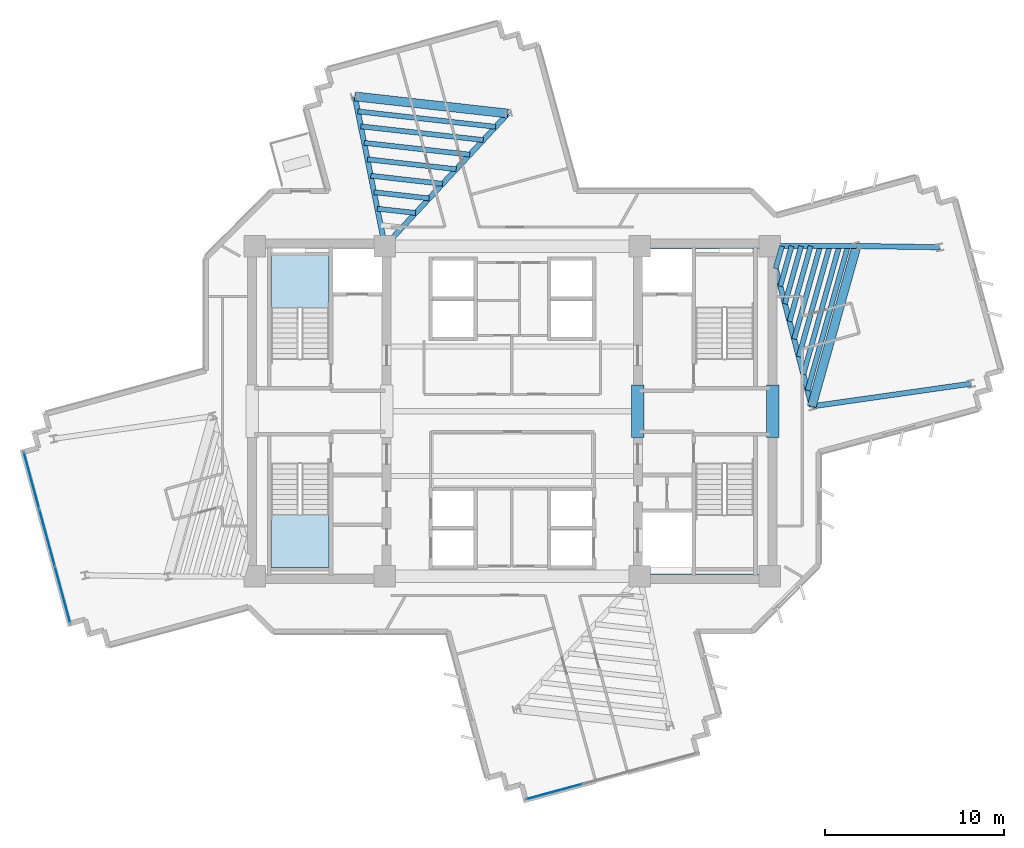
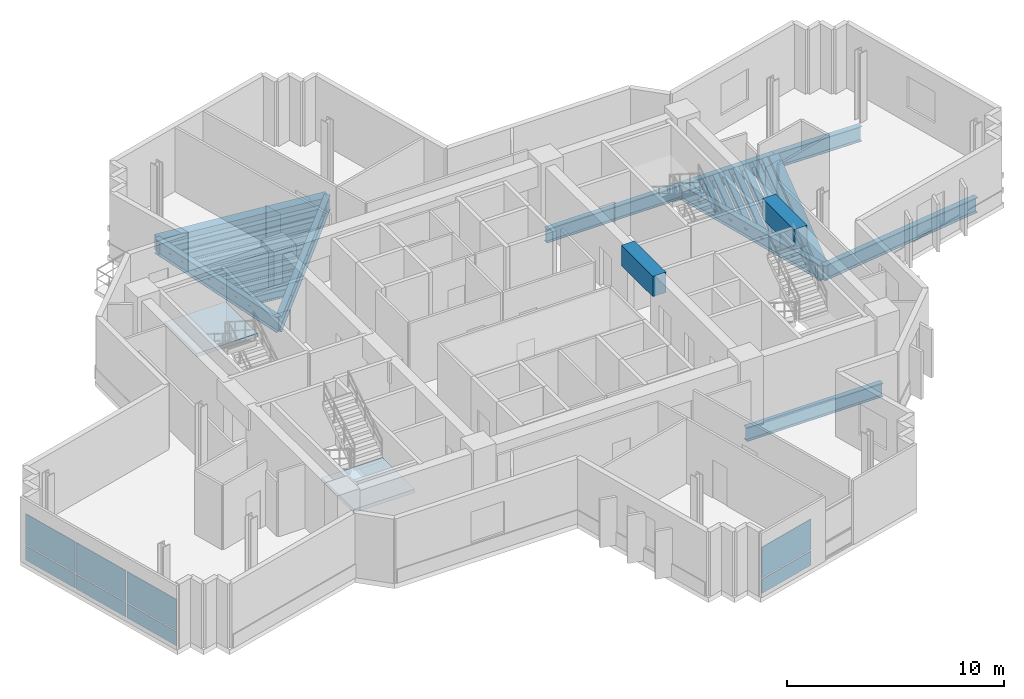
# One storey, part 6 of 15: 27 beams, 8 plates, 2 slabs, 4 elements without a shape of their own.
"""IFC4 building model written with IfcOpenShell, lengths in metres."""

import ifcopenshell
import ifcopenshell.guid

model = None  # the IFC model being written
_history = None  # IfcOwnerHistory: only IFC2X3 demands one
_inside = {}  # id of a spatial element -> (the spatial element, [elements in it])
_under = {}  # id of a project, library or spatial element -> (it, [spatial elements below it])
_declared = {}  # id of a project -> (the project, [libraries it declares])
_typed = {}  # id of a type object -> (the type object, [elements of that type])
_made_of = {}  # id of a material, layer set ... -> (it, [elements and type objects made of it])


def new_model(schema):
    """Start an empty IFC model of exactly this schema.

    Asked for "IFC4X3", IfcOpenShell would pick the latest addendum, in which some entities
    have other attributes; the version numbers below select the first issue.
    IFC2X3 requires an IfcOwnerHistory on every rooted entity: one is made here for all.
    """
    global model, _history
    if schema == "IFC4X3":
        model = ifcopenshell.file(schema_version=(4, 3, 0, 0))
    else:
        model = ifcopenshell.file(schema=schema)
    _inside.clear()
    _under.clear()
    _declared.clear()
    _typed.clear()
    _made_of.clear()
    _history = None
    if model.schema == "IFC2X3":
        org = make("IfcOrganization", Name="unknown")
        user = make(
            "IfcPersonAndOrganization",
            ThePerson=make("IfcPerson", FamilyName="unknown"),
            TheOrganization=org,
        )
        app = make(
            "IfcApplication",
            ApplicationDeveloper=org,
            Version="unknown",
            ApplicationFullName="unknown",
            ApplicationIdentifier="unknown",
        )
        _history = make(
            "IfcOwnerHistory",
            OwningUser=user,
            OwningApplication=app,
            ChangeAction="ADDED",
            CreationDate=0,
        )
    return model


def make(cls, **values):
    """One entity of the class cls with the attributes given. An attribute that is None is left unset."""
    return model.create_entity(
        cls, **{name: value for name, value in values.items() if value is not None}
    )


def rooted(cls, **values):
    """An entity with a GlobalId (a new one), such as an element, a storey or a relation."""
    return make(cls, GlobalId=ifcopenshell.guid.new(), OwnerHistory=_history, **values)


def si_unit(unit_type, name, prefix=None):
    """IfcSIUnit, for example si_unit("LENGTHUNIT", "METRE", prefix="MILLI")."""
    return make("IfcSIUnit", UnitType=unit_type, Prefix=prefix, Name=name)


def assignment(units):
    """IfcUnitAssignment: the units of a project."""
    return None if units is None else make("IfcUnitAssignment", Units=units)


def point(xyz):
    """IfcCartesianPoint."""
    return None if xyz is None else make("IfcCartesianPoint", Coordinates=xyz)


def direction(xyz):
    """IfcDirection."""
    return None if xyz is None else make("IfcDirection", DirectionRatios=xyz)


def frame(location, z_axis=None, x_axis=None):
    """IfcAxis2Placement3D, a coordinate frame: its origin and axes. An axis left out is left unset."""
    return make(
        "IfcAxis2Placement3D",
        Location=point(location),
        Axis=direction(z_axis),
        RefDirection=direction(x_axis),
    )


def frame_2d(location, x_axis=None):
    """IfcAxis2Placement2D, a coordinate frame in the plane: its origin and x axis."""
    return make(
        "IfcAxis2Placement2D", Location=point(location), RefDirection=direction(x_axis)
    )


def origin():
    """The frame at (0, 0, 0) with its axes left unset."""
    return frame((0.0, 0.0, 0.0))


def origin_2d():
    """The frame at (0, 0) in the plane with its x axis left unset."""
    return frame_2d((0.0, 0.0))


def place(relative_to, where):
    """IfcLocalPlacement: puts the frame where relative to a parent placement (None: the world)."""
    return make(
        "IfcLocalPlacement", PlacementRelTo=relative_to, RelativePlacement=where
    )


def context(
    kind, dimensions, precision=None, world=None, true_north=None, identifier=None
):
    """IfcGeometricRepresentationContext, for example the 3D "Model" context."""
    return make(
        "IfcGeometricRepresentationContext",
        ContextIdentifier=identifier,
        ContextType=kind,
        CoordinateSpaceDimension=dimensions,
        Precision=precision,
        WorldCoordinateSystem=world,
        TrueNorth=true_north,
    )


def subcontext(parent, identifier, kind, view, scale=None):
    """IfcGeometricRepresentationSubContext, for example "Body" below "Model"."""
    return make(
        "IfcGeometricRepresentationSubContext",
        ContextIdentifier=identifier,
        ContextType=kind,
        ParentContext=parent,
        TargetScale=scale,
        TargetView=view,
    )


def project(units=None, contexts=None):
    """IfcProject with its units and contexts."""
    return rooted(
        "IfcProject",
        Name="project",
        RepresentationContexts=contexts,
        UnitsInContext=assignment(units),
    )


def spatial(cls, under=None, at=None, **own):
    """A site, building, storey or space (cls), placed at a placement, below another one or the project."""
    s = rooted(cls, ObjectPlacement=at, **own)
    if under is not None:
        _under.setdefault(under.id(), (under, []))[1].append(s)
    return s


def polyline(points):
    """IfcPolyline through the points."""
    return make("IfcPolyline", Points=[point(p) for p in points])


def profile(cls, at=None, kind="AREA", **sizes):
    """A parametric profile (cls). Its sizes go by their IFC names, for example OverallWidth=200.0."""
    return make(cls, ProfileType=kind, Position=at, **sizes)


def rectangle(**sizes):
    """IfcRectangleProfileDef."""
    return profile("IfcRectangleProfileDef", **sizes)


def i_section(**sizes):
    """IfcIShapeProfileDef."""
    return profile("IfcIShapeProfileDef", **sizes)


def outline(outer, holes=None, kind="AREA"):
    """IfcArbitraryClosedProfileDef: a profile drawn as a closed curve; with holes, ...WithVoids."""
    if holes is None:
        return make("IfcArbitraryClosedProfileDef", ProfileType=kind, OuterCurve=outer)
    return make(
        "IfcArbitraryProfileDefWithVoids",
        ProfileType=kind,
        OuterCurve=outer,
        InnerCurves=holes,
    )


def extrude(swept, where, along, depth):
    """IfcExtrudedAreaSolid: the profile swept, set in the frame where, extruded along a direction by depth."""
    return make(
        "IfcExtrudedAreaSolid",
        SweptArea=swept,
        Position=where,
        ExtrudedDirection=direction(along),
        Depth=depth,
    )


def shape(context_of_items, identifier, shape_type, items):
    """IfcShapeRepresentation: the items that make up one representation, for example the "Body"."""
    return make(
        "IfcShapeRepresentation",
        ContextOfItems=context_of_items,
        RepresentationIdentifier=identifier,
        RepresentationType=shape_type,
        Items=items,
    )


def source(mapping_origin, context_of_items, identifier, shape_type, items):
    """IfcRepresentationMap: a shape defined once, which mapped items show again and again."""
    return make(
        "IfcRepresentationMap",
        MappingOrigin=mapping_origin,
        MappedRepresentation=shape(context_of_items, identifier, shape_type, items),
    )


def transform(
    local_origin,
    x_axis=None,
    y_axis=None,
    z_axis=None,
    scale=None,
    scale2=None,
    scale3=None,
    uniform=True,
):
    """IfcCartesianTransformationOperator3D, or its non-uniform kind. x_axis, y_axis, z_axis: its Axis1, 2, 3."""
    if uniform:
        return make(
            "IfcCartesianTransformationOperator3D",
            Axis1=direction(x_axis),
            Axis2=direction(y_axis),
            LocalOrigin=point(local_origin),
            Scale=scale,
            Axis3=direction(z_axis),
        )
    return make(
        "IfcCartesianTransformationOperator3DnonUniform",
        Axis1=direction(x_axis),
        Axis2=direction(y_axis),
        LocalOrigin=point(local_origin),
        Scale=scale,
        Axis3=direction(z_axis),
        Scale2=scale2,
        Scale3=scale3,
    )


def mapped(mapping_source, mapping_target):
    """IfcMappedItem: shows the shape of a source again, moved by a transform."""
    return make(
        "IfcMappedItem", MappingSource=mapping_source, MappingTarget=mapping_target
    )


def material(Name=None, Category=None):
    """IfcMaterial."""
    return make("IfcMaterial", Name=Name, Category=Category)


def layer(
    of_material, thickness, ventilated=None, Name=None, Category=None, Priority=None
):
    """IfcMaterialLayer: one layer of a wall or slab, of a material (None: an air gap)."""
    return make(
        "IfcMaterialLayer",
        Material=of_material,
        LayerThickness=thickness,
        IsVentilated=ventilated,
        Name=Name,
        Category=Category,
        Priority=Priority,
    )


def layer_set(layers, Name=None):
    """IfcMaterialLayerSet."""
    return make("IfcMaterialLayerSet", MaterialLayers=layers, LayerSetName=Name)


def material_profile(
    of_material, cross_section, Name=None, Category=None, Priority=None
):
    """IfcMaterialProfile: a cross section and its material."""
    return make(
        "IfcMaterialProfile",
        Name=Name,
        Material=of_material,
        Profile=cross_section,
        Priority=Priority,
        Category=Category,
    )


def profile_set(profiles, Name=None, composite=None):
    """IfcMaterialProfileSet."""
    return make(
        "IfcMaterialProfileSet",
        Name=Name,
        MaterialProfiles=profiles,
        CompositeProfile=composite,
    )


def made_of(thing, what):
    """Note that an element or type object is made of a material, layer set ...; save() writes the relation."""
    if what is not None:
        _made_of.setdefault(what.id(), (what, []))[1].append(thing)
    return thing


def type_object(cls, material=None, **own):
    """A type object (cls), such as IfcWallType, which elements share."""
    return made_of(rooted(cls, **own), material)


def element(
    cls,
    number,
    at=None,
    inside=None,
    cuts=None,
    type_object=None,
    material=None,
    context=None,
    identifier="Body",
    shape_type=None,
    held_by="IfcProductDefinitionShape",
    body=None,
    shapes=None,
    **own,
):
    """One element of the class cls, such as IfcWall. Its Tag is "e" and its number.

    at: its placement. inside: the storey or other place that contains it. cuts: it is an
    opening in that element (IfcRelVoidsElement). A single representation is given by context,
    identifier, shape_type and body (its items); several are given by shapes. held_by: the class
    of the entity that holds the representations. save() writes the other relations.
    """
    e = rooted(cls, Tag="e%d" % number, ObjectPlacement=at, **own)
    if body is not None:
        shapes = [shape(context, identifier, shape_type, body)]
    if shapes is not None:
        e.Representation = make(held_by, Representations=shapes)
    if inside is not None:
        _inside.setdefault(inside.id(), (inside, []))[1].append(e)
    if cuts is not None:
        rooted(
            "IfcRelVoidsElement", RelatingBuildingElement=cuts, RelatedOpeningElement=e
        )
    if type_object is not None:
        _typed.setdefault(type_object.id(), (type_object, []))[1].append(e)
    return made_of(e, material)


def aggregate(whole, parts):
    """IfcRelAggregates: a whole, such as a stair, and the parts it consists of."""
    return rooted("IfcRelAggregates", RelatingObject=whole, RelatedObjects=parts)


def save(model, path):
    """Write the relations noted so far, then the file.

    IfcRelAggregates (storeys below a building ...), IfcRelContainedInSpatialStructure (elements
    in a storey), IfcRelDefinesByType, IfcRelAssociatesMaterial and IfcRelDeclares: one each for
    every whole, place, type object, material and project.
    """
    for whole, parts in _under.values():
        aggregate(whole, parts)
    for where, things in _inside.values():
        rooted(
            "IfcRelContainedInSpatialStructure",
            RelatedElements=things,
            RelatingStructure=where,
        )
    for kind, things in _typed.values():
        rooted("IfcRelDefinesByType", RelatedObjects=things, RelatingType=kind)
    for what, things in _made_of.values():
        rooted("IfcRelAssociatesMaterial", RelatedObjects=things, RelatingMaterial=what)
    for by, libraries in _declared.values():
        rooted("IfcRelDeclares", RelatingContext=by, RelatedDefinitions=libraries)
    model.write(path)


model = new_model("IFC4")

# Units and contexts
model_context = context("Model", 3, precision=1e-05, world=origin(), true_north=direction((0.0, 1.0)))
body_context = subcontext(model_context, "Body", "Model", "MODEL_VIEW")
ifc_project = project(units=[si_unit("LENGTHUNIT", "METRE"), si_unit("AREAUNIT", "SQUARE_METRE"), si_unit("VOLUMEUNIT", "CUBIC_METRE"), si_unit("PLANEANGLEUNIT", "RADIAN"), si_unit("MASSUNIT", "GRAM", prefix="KILO")], contexts=[model_context])

# Site, building, storey
site_placement = place(None, origin())
site = spatial("IfcSite", under=ifc_project, at=site_placement, CompositionType="ELEMENT")
building_placement = place(site_placement, origin())
building = spatial("IfcBuilding", under=site, at=building_placement, Name="Zahravan Cultural Tower", CompositionType="ELEMENT")
storey_placement = place(building_placement, frame((0.0, 0.0, 198.0)))
storey = spatial("IfcBuildingStorey", under=building, at=storey_placement, Name="L46", CompositionType="ELEMENT", Elevation=198.0)

# Beams
ifc_material_1 = material(Name="Concrete C50/60", Category="concrete")
ifc_material_profile_1 = material_profile(ifc_material_1, rectangle(XDim=0.699951171875, YDim=1.14990234375, at=origin_2d()), Name="RC700X1150")
ifc_profile_set_1 = profile_set([ifc_material_profile_1], Name="Concrete C50/60")
beam_type_1 = type_object("IfcBeamType", Name="BM-LN-RC700X1150", PredefinedType="LINTEL", material=ifc_profile_set_1)
shared_shape_1 = source(origin(), body_context, "Body", "SweptSolid", [
    extrude(rectangle(XDim=0.699951171875, YDim=1.14990234375, at=origin_2d()), origin(), (0.0, 0.0, 1.0), 2.89990234375),
])
for number, where, z_axis, x_axis, name in (
    (1, (43.0, 25.550048828125, 3.044921875), (0.0, 1.0, 0.0), (-1.0, 0.0, 0.0), "L46 Beam LN-L46-PEW"),
    (2, (50.5, 25.550048828125, 3.044921875), (0.0, 1.0, 0.0), (-1.0, 0.0, 0.0), "L46 Beam LN-L46-PEE"),
):
    element("IfcBeam", number, at=place(storey_placement, frame(where, z_axis=z_axis, x_axis=x_axis)), inside=storey, type_object=beam_type_1, Name=name, PredefinedType="LINTEL", context=body_context, shape_type="MappedRepresentation", body=[
        mapped(shared_shape_1, transform((0.0, 0.0, 0.0), x_axis=(1.0, 0.0, 0.0), y_axis=(0.0, 1.0, 0.0), z_axis=(0.0, 0.0, 1.0), scale=1.0)),
    ])
ifc_material_2 = material(Name="Steel ASTM A992 Grade 50", Category="steel")
ifc_material_profile_2 = material_profile(ifc_material_2, i_section(OverallWidth=0.26611328125, OverallDepth=0.780029296875, WebThickness=0.0166015625, FlangeThickness=0.030029296875, FilletRadius=0.01904296875, at=origin_2d()), Name="W30X148")
ifc_profile_set_2 = profile_set([ifc_material_profile_2], Name="Steel ASTM A992 Grade 50")
beam_type_2 = type_object("IfcBeamType", Name="BM-G-W30X148", PredefinedType="BEAM", material=ifc_profile_set_2)
shared_shape_2 = source(origin(), body_context, "Body", "SweptSolid", [
    extrude(i_section(OverallWidth=0.26611328125, OverallDepth=0.780029296875, WebThickness=0.0166015625, FlangeThickness=0.030029296875, FilletRadius=0.01904296875, at=origin_2d()), origin(), (0.0, 0.0, 1.0), 7.25),
])
for number, where, z_axis, x_axis, name in (
    (3, (43.10009765625, 17.800048828125, -0.669921875), (1.0, 0.0, 0.0), (0.0, 1.0, 0.0), "L46 Beam BG-L46-04"),
    (4, (43.10009765625, 36.199951171875, -0.669921875), (1.0, 0.0, 0.0), (0.0, 1.0, 0.0), "L46 Beam BG-L46-05"),
):
    element("IfcBeam", number, at=place(storey_placement, frame(where, z_axis=z_axis, x_axis=x_axis)), inside=storey, type_object=beam_type_2, Name=name, PredefinedType="BEAM", context=body_context, shape_type="MappedRepresentation", body=[
        mapped(shared_shape_2, transform((0.0, 0.0, 0.0), x_axis=(1.0, 0.0, 0.0), y_axis=(0.0, 1.0, 0.0), z_axis=(0.0, 0.0, 1.0), scale=1.0)),
    ])
ifc_material_profile_3 = material_profile(ifc_material_1, rectangle(XDim=0.5, YDim=0.85009765625, at=origin_2d()), Name="RC500X850")
ifc_profile_set_3 = profile_set([ifc_material_profile_3], Name="Concrete C50/60")
beam_type_3 = type_object("IfcBeamType", Name="BM-SP-RC500X850", PredefinedType="SPANDREL", material=ifc_profile_set_3)
shared_shape_3 = source(origin(), body_context, "Body", "SweptSolid", [
    extrude(rectangle(XDim=0.5, YDim=0.85009765625, at=origin_2d()), origin(), (0.0, 0.0, 1.0), 9.2783203125),
])
beam_1_placement = place(storey_placement, frame((52.684326171875, 27.27099609375, -0.705078125), z_axis=(0.269497187032, 0.963001176625, 0.0), x_axis=(-0.963001176625, 0.269497187032, 0.0)))
element("IfcBeam", 5, at=beam_1_placement, inside=storey, type_object=beam_type_3, Name="L46 Beam SP-L46-21", PredefinedType="SPANDREL", context=body_context, shape_type="MappedRepresentation", body=[
    mapped(shared_shape_3, transform((0.0, 0.0, 0.0), x_axis=(1.0, 0.0, 0.0), y_axis=(0.0, 1.0, 0.0), z_axis=(0.0, 0.0, 1.0), scale=1.0)),
])
shared_shape_4 = source(origin(), body_context, "Body", "SweptSolid", [
    extrude(rectangle(XDim=0.5, YDim=0.85009765625, at=origin_2d()), origin(), (0.0, 0.0, 1.0), 8.579833984375),
])
beam_2_placement = place(storey_placement, frame((35.754638671875, 43.587646484375, -0.705078125), z_axis=(-0.9938040105, 0.11114669907, 0.0), x_axis=(-0.11114669907, -0.9938040105, 0.0)))
element("IfcBeam", 6, at=beam_2_placement, inside=storey, type_object=beam_type_3, Name="L46 Beam SP-L46-22", PredefinedType="SPANDREL", context=body_context, shape_type="MappedRepresentation", body=[
    mapped(shared_shape_4, transform((0.0, 0.0, 0.0), x_axis=(1.0, 0.0, 0.0), y_axis=(0.0, 1.0, 0.0), z_axis=(0.0, 0.0, 1.0), scale=1.0)),
])
ifc_material_profile_4 = material_profile(ifc_material_2, i_section(OverallWidth=0.29296875, OverallDepth=0.845947265625, WebThickness=0.015380859375, FlangeThickness=0.0244140625, FilletRadius=0.02001953125, at=origin_2d()), Name="W33X141")
ifc_profile_set_4 = profile_set([ifc_material_profile_4], Name="Steel ASTM A992 Grade 50")
beam_type_4 = type_object("IfcBeamType", Name="BM-G-W33X141", PredefinedType="BEAM", material=ifc_profile_set_4)
shared_shape_5 = source(origin(), body_context, "Body", "SweptSolid", [
    extrude(i_section(OverallWidth=0.29296875, OverallDepth=0.845947265625, WebThickness=0.015380859375, FlangeThickness=0.0244140625, FilletRadius=0.02001953125, at=origin_2d()), origin(), (0.0, 0.0, 1.0), 9.22900390625),
])
beam_3_placement = place(storey_placement, frame((50.35009765625, 36.199951171875, -0.702880859375), z_axis=(0.252922608408, -0.967486513682, 0.0), x_axis=(0.967486513682, 0.252922608408, 0.0)))
element("IfcBeam", 7, at=beam_3_placement, inside=storey, type_object=beam_type_4, Name="L46 Beam BG-L46-11", PredefinedType="BEAM", context=body_context, shape_type="MappedRepresentation", body=[
    mapped(shared_shape_5, transform((0.0, 0.0, 0.0), x_axis=(1.0, 0.0, 0.0), y_axis=(0.0, 1.0, 0.0), z_axis=(0.0, 0.0, 1.0), scale=1.0)),
])
shared_shape_6 = source(origin(), body_context, "Body", "SweptSolid", [
    extrude(i_section(OverallWidth=0.29296875, OverallDepth=0.845947265625, WebThickness=0.015380859375, FlangeThickness=0.0244140625, FilletRadius=0.02001953125, at=origin_2d()), origin(), (0.0, 0.0, 1.0), 4.834716796875),
])
beam_4_placement = place(storey_placement, frame((50.35009765625, 36.199951171875, -0.702880859375), z_axis=(0.99999920313, 0.001262433979, 0.0), x_axis=(-0.001262433979, 0.99999920313, 0.0)))
element("IfcBeam", 8, at=beam_4_placement, inside=storey, type_object=beam_type_4, Name="L46 Beam BG-L46-12", PredefinedType="BEAM", context=body_context, shape_type="MappedRepresentation", body=[
    mapped(shared_shape_6, transform((0.0, 0.0, 0.0), x_axis=(1.0, 0.0, 0.0), y_axis=(0.0, 1.0, 0.0), z_axis=(0.0, 0.0, 1.0), scale=1.0)),
])
shared_shape_7 = source(origin(), body_context, "Body", "SweptSolid", [
    extrude(i_section(OverallWidth=0.29296875, OverallDepth=0.845947265625, WebThickness=0.015380859375, FlangeThickness=0.0244140625, FilletRadius=0.02001953125, at=origin_2d()), origin(), (0.0, 0.0, 1.0), 10.077880859375),
])
beam_5_placement = place(storey_placement, frame((28.89990234375, 36.199951171875, -0.702880859375), z_axis=(0.680170435587, 0.733054007938, 0.0), x_axis=(-0.733054007938, 0.680170435587, 0.0)))
element("IfcBeam", 9, at=beam_5_placement, inside=storey, type_object=beam_type_4, Name="L46 Beam BG-L46-13", PredefinedType="BEAM", context=body_context, shape_type="MappedRepresentation", body=[
    mapped(shared_shape_7, transform((0.0, 0.0, 0.0), x_axis=(1.0, 0.0, 0.0), y_axis=(0.0, 1.0, 0.0), z_axis=(0.0, 0.0, 1.0), scale=1.0)),
])
shared_shape_8 = source(origin(), body_context, "Body", "SweptSolid", [
    extrude(i_section(OverallWidth=0.29296875, OverallDepth=0.845947265625, WebThickness=0.015380859375, FlangeThickness=0.0244140625, FilletRadius=0.02001953125, at=origin_2d()), origin(), (0.0, 0.0, 1.0), 8.50732421875),
])
beam_6_placement = place(storey_placement, frame((28.89990234375, 36.199951171875, -0.702880859375), z_axis=(-0.196524514012, 0.980498911469, 0.0), x_axis=(-0.980498911469, -0.196524514012, 0.0)))
element("IfcBeam", 10, at=beam_6_placement, inside=storey, type_object=beam_type_4, Name="L46 Beam BG-L46-14", PredefinedType="BEAM", context=body_context, shape_type="MappedRepresentation", body=[
    mapped(shared_shape_8, transform((0.0, 0.0, 0.0), x_axis=(1.0, 0.0, 0.0), y_axis=(0.0, 1.0, 0.0), z_axis=(0.0, 0.0, 1.0), scale=1.0)),
])
shared_shape_9 = source(origin(), body_context, "Body", "SweptSolid", [
    extrude(i_section(OverallWidth=0.29296875, OverallDepth=0.845947265625, WebThickness=0.015380859375, FlangeThickness=0.0244140625, FilletRadius=0.02001953125, at=origin_2d()), origin(), (0.0, 0.0, 1.0), 8.9580078125),
])
beam_7_placement = place(storey_placement, frame((52.684326171875, 27.27099609375, -0.702880859375), z_axis=(0.990000122431, 0.141066500584, 0.0), x_axis=(-0.141066500584, 0.990000122431, 0.0)))
element("IfcBeam", 11, at=beam_7_placement, inside=storey, type_object=beam_type_4, Name="L46 Beam BG-L46-15", PredefinedType="BEAM", context=body_context, shape_type="MappedRepresentation", body=[
    mapped(shared_shape_9, transform((0.0, 0.0, 0.0), x_axis=(1.0, 0.0, 0.0), y_axis=(0.0, 1.0, 0.0), z_axis=(0.0, 0.0, 1.0), scale=1.0)),
])
shared_shape_10 = source(origin(), body_context, "Body", "SweptSolid", [
    extrude(i_section(OverallWidth=0.29296875, OverallDepth=0.845947265625, WebThickness=0.015380859375, FlangeThickness=0.0244140625, FilletRadius=0.02001953125, at=origin_2d()), origin(), (0.0, 0.0, 1.0), 4.622314453125),
])
beam_8_placement = place(storey_placement, frame((55.184814453125, 36.2060546875, -0.702880859375), z_axis=(0.999889070044, -0.014894549562, 0.0), x_axis=(0.014894549562, 0.999889070044, 0.0)))
element("IfcBeam", 12, at=beam_8_placement, inside=storey, type_object=beam_type_4, Name="L46 Beam BG-L46-16", PredefinedType="BEAM", context=body_context, shape_type="MappedRepresentation", body=[
    mapped(shared_shape_10, transform((0.0, 0.0, 0.0), x_axis=(1.0, 0.0, 0.0), y_axis=(0.0, 1.0, 0.0), z_axis=(0.0, 0.0, 1.0), scale=1.0)),
])
ifc_material_profile_5 = material_profile(ifc_material_2, i_section(OverallWidth=0.280029296875, OverallDepth=0.462890625, WebThickness=0.0107421875, FlangeThickness=0.017333984375, FilletRadius=0.012939453125, at=origin_2d()), Name="W18X76")
ifc_profile_set_5 = profile_set([ifc_material_profile_5], Name="Steel ASTM A992 Grade 50")
beam_type_5 = type_object("IfcBeamType", Name="BM-J-W18X76", PredefinedType="JOIST", material=ifc_profile_set_5)
shared_shape_11 = source(origin(), body_context, "Body", "SweptSolid", [
    extrude(i_section(OverallWidth=0.280029296875, OverallDepth=0.462890625, WebThickness=0.0107421875, FlangeThickness=0.017333984375, FilletRadius=0.012939453125, at=origin_2d()), origin(), (0.0, 0.0, 1.0), 1.299072265625),
])
beam_9_placement = place(storey_placement, frame((50.6767578125, 34.949951171875, -0.511474609375), z_axis=(0.269504444708, 0.962999145525, 0.0), x_axis=(-0.962999145525, 0.269504444708, 0.0)))
element("IfcBeam", 13, at=beam_9_placement, inside=storey, type_object=beam_type_5, Name="L46 Beam BJ-L46-42", PredefinedType="JOIST", context=body_context, shape_type="MappedRepresentation", body=[
    mapped(shared_shape_11, transform((0.0, 0.0, 0.0), x_axis=(1.0, 0.0, 0.0), y_axis=(0.0, 1.0, 0.0), z_axis=(0.0, 0.0, 1.0), scale=1.0)),
])
shared_shape_12 = source(origin(), body_context, "Body", "SweptSolid", [
    extrude(i_section(OverallWidth=0.280029296875, OverallDepth=0.462890625, WebThickness=0.0107421875, FlangeThickness=0.017333984375, FilletRadius=0.012939453125, at=origin_2d()), origin(), (0.0, 0.0, 1.0), 2.3193359375),
])
beam_10_placement = place(storey_placement, frame((50.93359375, 33.9677734375, -0.511474609375), z_axis=(0.269462038626, 0.963011012263, 0.0), x_axis=(-0.963011012263, 0.269462038626, 0.0)))
element("IfcBeam", 14, at=beam_10_placement, inside=storey, type_object=beam_type_5, Name="L46 Beam BJ-L46-43", PredefinedType="JOIST", context=body_context, shape_type="MappedRepresentation", body=[
    mapped(shared_shape_12, transform((0.0, 0.0, 0.0), x_axis=(1.0, 0.0, 0.0), y_axis=(0.0, 1.0, 0.0), z_axis=(0.0, 0.0, 1.0), scale=1.0)),
])
shared_shape_13 = source(origin(), body_context, "Body", "SweptSolid", [
    extrude(i_section(OverallWidth=0.280029296875, OverallDepth=0.462890625, WebThickness=0.0107421875, FlangeThickness=0.017333984375, FilletRadius=0.012939453125, at=origin_2d()), origin(), (0.0, 0.0, 1.0), 3.340087890625),
])
beam_11_placement = place(storey_placement, frame((51.190185546875, 32.985595703125, -0.511474609375), z_axis=(0.269562146951, 0.962982995141, 0.0), x_axis=(-0.962982995141, 0.269562146951, 0.0)))
element("IfcBeam", 15, at=beam_11_placement, inside=storey, type_object=beam_type_5, Name="L46 Beam BJ-L46-44", PredefinedType="JOIST", context=body_context, shape_type="MappedRepresentation", body=[
    mapped(shared_shape_13, transform((0.0, 0.0, 0.0), x_axis=(1.0, 0.0, 0.0), y_axis=(0.0, 1.0, 0.0), z_axis=(0.0, 0.0, 1.0), scale=1.0)),
])
shared_shape_14 = source(origin(), body_context, "Body", "SweptSolid", [
    extrude(i_section(OverallWidth=0.280029296875, OverallDepth=0.462890625, WebThickness=0.0107421875, FlangeThickness=0.017333984375, FilletRadius=0.012939453125, at=origin_2d()), origin(), (0.0, 0.0, 1.0), 4.36083984375),
])
beam_12_placement = place(storey_placement, frame((51.447021484375, 32.00341796875, -0.511474609375), z_axis=(0.269511557673, 0.962997154866, 0.0), x_axis=(-0.962997154866, 0.269511557673, 0.0)))
element("IfcBeam", 16, at=beam_12_placement, inside=storey, type_object=beam_type_5, Name="L46 Beam BJ-L46-45", PredefinedType="JOIST", context=body_context, shape_type="MappedRepresentation", body=[
    mapped(shared_shape_14, transform((0.0, 0.0, 0.0), x_axis=(1.0, 0.0, 0.0), y_axis=(0.0, 1.0, 0.0), z_axis=(0.0, 0.0, 1.0), scale=1.0)),
])
shared_shape_15 = source(origin(), body_context, "Body", "SweptSolid", [
    extrude(i_section(OverallWidth=0.280029296875, OverallDepth=0.462890625, WebThickness=0.0107421875, FlangeThickness=0.017333984375, FilletRadius=0.012939453125, at=origin_2d()), origin(), (0.0, 0.0, 1.0), 5.3818359375),
])
beam_13_placement = place(storey_placement, frame((51.703857421875, 31.02099609375, -0.511474609375), z_axis=(0.269510454638, 0.962997463569, 0.0), x_axis=(-0.962997463569, 0.269510454638, 0.0)))
element("IfcBeam", 17, at=beam_13_placement, inside=storey, type_object=beam_type_5, Name="L46 Beam BJ-L46-46", PredefinedType="JOIST", context=body_context, shape_type="MappedRepresentation", body=[
    mapped(shared_shape_15, transform((0.0, 0.0, 0.0), x_axis=(1.0, 0.0, 0.0), y_axis=(0.0, 1.0, 0.0), z_axis=(0.0, 0.0, 1.0), scale=1.0)),
])
shared_shape_16 = source(origin(), body_context, "Body", "SweptSolid", [
    extrude(i_section(OverallWidth=0.280029296875, OverallDepth=0.462890625, WebThickness=0.0107421875, FlangeThickness=0.017333984375, FilletRadius=0.012939453125, at=origin_2d()), origin(), (0.0, 0.0, 1.0), 6.402099609375),
])
beam_14_placement = place(storey_placement, frame((51.960693359375, 30.038818359375, -0.511474609375), z_axis=(0.269494133533, 0.963002031146, 0.0), x_axis=(-0.963002031146, 0.269494133533, 0.0)))
element("IfcBeam", 18, at=beam_14_placement, inside=storey, type_object=beam_type_5, Name="L46 Beam BJ-L46-47", PredefinedType="JOIST", context=body_context, shape_type="MappedRepresentation", body=[
    mapped(shared_shape_16, transform((0.0, 0.0, 0.0), x_axis=(1.0, 0.0, 0.0), y_axis=(0.0, 1.0, 0.0), z_axis=(0.0, 0.0, 1.0), scale=1.0)),
])
shared_shape_17 = source(origin(), body_context, "Body", "SweptSolid", [
    extrude(i_section(OverallWidth=0.280029296875, OverallDepth=0.462890625, WebThickness=0.0107421875, FlangeThickness=0.017333984375, FilletRadius=0.012939453125, at=origin_2d()), origin(), (0.0, 0.0, 1.0), 7.4228515625),
])
beam_15_placement = place(storey_placement, frame((52.21728515625, 29.056640625, -0.511474609375), z_axis=(0.269504266128, 0.962999195503, 0.0), x_axis=(-0.962999195503, 0.269504266128, 0.0)))
element("IfcBeam", 19, at=beam_15_placement, inside=storey, type_object=beam_type_5, Name="L46 Beam BJ-L46-48", PredefinedType="JOIST", context=body_context, shape_type="MappedRepresentation", body=[
    mapped(shared_shape_17, transform((0.0, 0.0, 0.0), x_axis=(1.0, 0.0, 0.0), y_axis=(0.0, 1.0, 0.0), z_axis=(0.0, 0.0, 1.0), scale=1.0)),
])
shared_shape_18 = source(origin(), body_context, "Body", "SweptSolid", [
    extrude(i_section(OverallWidth=0.280029296875, OverallDepth=0.462890625, WebThickness=0.0107421875, FlangeThickness=0.017333984375, FilletRadius=0.012939453125, at=origin_2d()), origin(), (0.0, 0.0, 1.0), 8.350830078125),
])
beam_16_placement = place(storey_placement, frame((52.450927734375, 28.163818359375, -0.511474609375), z_axis=(0.269496539555, 0.963001357822, 0.0), x_axis=(-0.963001357822, 0.269496539555, 0.0)))
element("IfcBeam", 20, at=beam_16_placement, inside=storey, type_object=beam_type_5, Name="L46 Beam BJ-L46-49", PredefinedType="JOIST", context=body_context, shape_type="MappedRepresentation", body=[
    mapped(shared_shape_18, transform((0.0, 0.0, 0.0), x_axis=(1.0, 0.0, 0.0), y_axis=(0.0, 1.0, 0.0), z_axis=(0.0, 0.0, 1.0), scale=1.0)),
])
shared_shape_19 = source(origin(), body_context, "Body", "SweptSolid", [
    extrude(i_section(OverallWidth=0.280029296875, OverallDepth=0.462890625, WebThickness=0.0107421875, FlangeThickness=0.017333984375, FilletRadius=0.012939453125, at=origin_2d()), origin(), (0.0, 0.0, 1.0), 2.144775390625),
])
beam_17_placement = place(storey_placement, frame((30.613525390625, 38.046875, -0.511474609375), z_axis=(-0.993797370806, 0.111206051, 0.0), x_axis=(-0.111206051, -0.993797370806, 0.0)))
element("IfcBeam", 21, at=beam_17_placement, inside=storey, type_object=beam_type_5, Name="L46 Beam BJ-L46-51", PredefinedType="JOIST", context=body_context, shape_type="MappedRepresentation", body=[
    mapped(shared_shape_19, transform((0.0, 0.0, 0.0), x_axis=(1.0, 0.0, 0.0), y_axis=(0.0, 1.0, 0.0), z_axis=(0.0, 0.0, 1.0), scale=1.0)),
])
shared_shape_20 = source(origin(), body_context, "Body", "SweptSolid", [
    extrude(i_section(OverallWidth=0.280029296875, OverallDepth=0.462890625, WebThickness=0.0107421875, FlangeThickness=0.017333984375, FilletRadius=0.012939453125, at=origin_2d()), origin(), (0.0, 0.0, 1.0), 3.088623046875),
])
beam_18_placement = place(storey_placement, frame((31.36767578125, 38.859619140625, -0.511474609375), z_axis=(-0.993805407368, 0.111134208443, 0.0), x_axis=(-0.111134208443, -0.993805407368, 0.0)))
element("IfcBeam", 22, at=beam_18_placement, inside=storey, type_object=beam_type_5, Name="L46 Beam BJ-L46-52", PredefinedType="JOIST", context=body_context, shape_type="MappedRepresentation", body=[
    mapped(shared_shape_20, transform((0.0, 0.0, 0.0), x_axis=(1.0, 0.0, 0.0), y_axis=(0.0, 1.0, 0.0), z_axis=(0.0, 0.0, 1.0), scale=1.0)),
])
shared_shape_21 = source(origin(), body_context, "Body", "SweptSolid", [
    extrude(i_section(OverallWidth=0.280029296875, OverallDepth=0.462890625, WebThickness=0.0107421875, FlangeThickness=0.017333984375, FilletRadius=0.012939453125, at=origin_2d()), origin(), (0.0, 0.0, 1.0), 4.0322265625),
])
beam_19_placement = place(storey_placement, frame((32.12158203125, 39.672119140625, -0.511474609375), z_axis=(-0.993802245601, 0.11116247855, 0.0), x_axis=(-0.11116247855, -0.993802245601, 0.0)))
element("IfcBeam", 23, at=beam_19_placement, inside=storey, type_object=beam_type_5, Name="L46 Beam BJ-L46-53", PredefinedType="JOIST", context=body_context, shape_type="MappedRepresentation", body=[
    mapped(shared_shape_21, transform((0.0, 0.0, 0.0), x_axis=(1.0, 0.0, 0.0), y_axis=(0.0, 1.0, 0.0), z_axis=(0.0, 0.0, 1.0), scale=1.0)),
])
shared_shape_22 = source(origin(), body_context, "Body", "SweptSolid", [
    extrude(i_section(OverallWidth=0.280029296875, OverallDepth=0.462890625, WebThickness=0.0107421875, FlangeThickness=0.017333984375, FilletRadius=0.012939453125, at=origin_2d()), origin(), (0.0, 0.0, 1.0), 4.97607421875),
])
beam_20_placement = place(storey_placement, frame((32.875732421875, 40.48486328125, -0.511474609375), z_axis=(-0.993806308517, 0.111126149723, 0.0), x_axis=(-0.111126149723, -0.993806308517, 0.0)))
element("IfcBeam", 24, at=beam_20_placement, inside=storey, type_object=beam_type_5, Name="L46 Beam BJ-L46-54", PredefinedType="JOIST", context=body_context, shape_type="MappedRepresentation", body=[
    mapped(shared_shape_22, transform((0.0, 0.0, 0.0), x_axis=(1.0, 0.0, 0.0), y_axis=(0.0, 1.0, 0.0), z_axis=(0.0, 0.0, 1.0), scale=1.0)),
])
shared_shape_23 = source(origin(), body_context, "Body", "SweptSolid", [
    extrude(i_section(OverallWidth=0.280029296875, OverallDepth=0.462890625, WebThickness=0.0107421875, FlangeThickness=0.017333984375, FilletRadius=0.012939453125, at=origin_2d()), origin(), (0.0, 0.0, 1.0), 5.919921875),
])
beam_21_placement = place(storey_placement, frame((33.629638671875, 41.29736328125, -0.511474609375), z_axis=(-0.993804520866, 0.111142135602, 0.0), x_axis=(-0.111142135602, -0.993804520866, 0.0)))
element("IfcBeam", 25, at=beam_21_placement, inside=storey, type_object=beam_type_5, Name="L46 Beam BJ-L46-55", PredefinedType="JOIST", context=body_context, shape_type="MappedRepresentation", body=[
    mapped(shared_shape_23, transform((0.0, 0.0, 0.0), x_axis=(1.0, 0.0, 0.0), y_axis=(0.0, 1.0, 0.0), z_axis=(0.0, 0.0, 1.0), scale=1.0)),
])
shared_shape_24 = source(origin(), body_context, "Body", "SweptSolid", [
    extrude(i_section(OverallWidth=0.280029296875, OverallDepth=0.462890625, WebThickness=0.0107421875, FlangeThickness=0.017333984375, FilletRadius=0.012939453125, at=origin_2d()), origin(), (0.0, 0.0, 1.0), 6.86376953125),
])
beam_22_placement = place(storey_placement, frame((34.3837890625, 42.110107421875, -0.511474609375), z_axis=(-0.993803224695, 0.111153725024, 0.0), x_axis=(-0.111153725024, -0.993803224695, 0.0)))
element("IfcBeam", 26, at=beam_22_placement, inside=storey, type_object=beam_type_5, Name="L46 Beam BJ-L46-56", PredefinedType="JOIST", context=body_context, shape_type="MappedRepresentation", body=[
    mapped(shared_shape_24, transform((0.0, 0.0, 0.0), x_axis=(1.0, 0.0, 0.0), y_axis=(0.0, 1.0, 0.0), z_axis=(0.0, 0.0, 1.0), scale=1.0)),
])
shared_shape_25 = source(origin(), body_context, "Body", "SweptSolid", [
    extrude(i_section(OverallWidth=0.280029296875, OverallDepth=0.462890625, WebThickness=0.0107421875, FlangeThickness=0.017333984375, FilletRadius=0.012939453125, at=origin_2d()), origin(), (0.0, 0.0, 1.0), 7.7216796875),
])
beam_23_placement = place(storey_placement, frame((35.069091796875, 42.848876953125, -0.511474609375), z_axis=(-0.993805212115, 0.11113595446, 0.0), x_axis=(-0.11113595446, -0.993805212115, 0.0)))
element("IfcBeam", 27, at=beam_23_placement, inside=storey, type_object=beam_type_5, Name="L46 Beam BJ-L46-57", PredefinedType="JOIST", context=body_context, shape_type="MappedRepresentation", body=[
    mapped(shared_shape_25, transform((0.0, 0.0, 0.0), x_axis=(1.0, 0.0, 0.0), y_axis=(0.0, 1.0, 0.0), z_axis=(0.0, 0.0, 1.0), scale=1.0)),
])

# Stair, slab
ifc_material_3 = material(Name="Concrete C45/55", Category="concrete")
stair_type = type_object("IfcStairType", Name="STR-DL-1550-390", PredefinedType="HALF_TURN_STAIR", material=ifc_material_3)
stair_1_placement = place(storey_placement, origin())
stair_1 = element("IfcStair", 28, at=stair_1_placement, inside=storey, type_object=stair_type, Name="L46 West Core North Exit Stair ST-W1", PredefinedType="HALF_TURN_STAIR")
ifc_layer_1 = layer(ifc_material_3, 0.199951171875)
ifc_layer_set_1 = layer_set([ifc_layer_1], Name="Concrete C45/55")
slab_type = type_object("IfcSlabType", Name="SL-STAIR-LND200", PredefinedType="LANDING", material=ifc_layer_set_1)
slab_1_placement = place(storey_placement, frame((0.0, 0.0, 1.75)))
slab_1 = element("IfcSlab", 29, at=slab_1_placement, type_object=slab_type, Name="ST-W1 landing 1", PredefinedType="LANDING", context=body_context, shape_type="SweptSolid", body=[
    extrude(outline(polyline([(25.800048828125, 32.75), (25.800048828125, 35.699951171875), (22.550048828125, 35.699951171875), (22.550048828125, 32.75), (25.800048828125, 32.75)])), origin(), (0.0, 0.0, 1.0), 0.199951171875),
])
aggregate(stair_1, [slab_1])

stair_2_placement = place(storey_placement, origin())
stair_2 = element("IfcStair", 30, at=stair_2_placement, inside=storey, type_object=stair_type, Name="L46 West Core South Exit Stair ST-W2", PredefinedType="HALF_TURN_STAIR")
slab_2_placement = place(storey_placement, frame((0.0, 0.0, 1.75)))
slab_2 = element("IfcSlab", 31, at=slab_2_placement, type_object=slab_type, Name="ST-W2 landing 1", PredefinedType="LANDING", context=body_context, shape_type="SweptSolid", body=[
    extrude(outline(polyline([(22.550048828125, 21.25), (22.550048828125, 18.300048828125), (25.800048828125, 18.300048828125), (25.800048828125, 21.25), (22.550048828125, 21.25)])), origin(), (0.0, 0.0, 1.0), 0.199951171875),
])
aggregate(stair_2, [slab_2])

# Curtain wall, plates
ifc_material_4 = material(Name="Anodised bronze-aluminium mullion", Category="aluminium")
ifc_layer_2 = layer(ifc_material_4, 0.179931640625)
ifc_layer_set_2 = layer_set([ifc_layer_2], Name="Anodised bronze-aluminium mullion")
curtain_wall_type_1 = type_object("IfcCurtainWallType", Name="CW-SYS-3", PredefinedType="USERDEFINED", material=ifc_layer_set_2)
curtain_wall_1_placement = place(storey_placement, origin())
curtain_wall_1 = element("IfcCurtainWall", 32, at=curtain_wall_1_placement, inside=storey, type_object=curtain_wall_type_1, Name="L46 Recessed Curtain Wall CW-3.1", ObjectType="RECESSED GLAZING", PredefinedType="USERDEFINED")
ifc_material_5 = material(Name="Low-E solar-control double glazing", Category="glass")
ifc_layer_3 = layer(ifc_material_5, 0.028076171875)
ifc_layer_set_3 = layer_set([ifc_layer_3], Name="Low-E solar-control double glazing")
plate_type_1 = type_object("IfcPlateType", Name="CWP-CW-3", PredefinedType="CURTAIN_PANEL", material=ifc_layer_set_3)
shared_shape_26 = source(origin(), body_context, "Body", "SweptSolid", [
    extrude(rectangle(XDim=3.20166015625, YDim=0.028076171875, at=origin_2d()), origin(), (0.0, 0.0, 1.0), 0.794921875),
])
plate_1_placement = place(storey_placement, frame((38.34765625, 5.814453125, 0.070068359375), z_axis=(0.0, 0.0, 1.0), x_axis=(-0.96501717126, -0.262186687636, 0.0)))
plate_1 = element("IfcPlate", 33, at=plate_1_placement, type_object=plate_type_1, Name="CW-3 panel 3.1", PredefinedType="CURTAIN_PANEL", context=body_context, shape_type="MappedRepresentation", body=[
    mapped(shared_shape_26, transform((0.0, 0.0, 0.0), x_axis=(1.0, 0.0, 0.0), y_axis=(0.0, 1.0, 0.0), z_axis=(0.0, 0.0, 1.0), scale=1.0)),
])
shared_shape_27 = source(origin(), body_context, "Body", "SweptSolid", [
    extrude(rectangle(XDim=3.20166015625, YDim=0.028076171875, at=origin_2d()), origin(), (0.0, 0.0, 1.0), 1.735107421875),
])
plate_2_placement = place(storey_placement, frame((38.34765625, 5.814453125, 0.93505859375), z_axis=(0.0, 0.0, 1.0), x_axis=(-0.96501717126, -0.262186687636, 0.0)))
plate_2 = element("IfcPlate", 34, at=plate_2_placement, type_object=plate_type_1, Name="CW-3 panel 3.2", PredefinedType="CURTAIN_PANEL", context=body_context, shape_type="MappedRepresentation", body=[
    mapped(shared_shape_27, transform((0.0, 0.0, 0.0), x_axis=(1.0, 0.0, 0.0), y_axis=(0.0, 1.0, 0.0), z_axis=(0.0, 0.0, 1.0), scale=1.0)),
])
aggregate(curtain_wall_1, [plate_1, plate_2])

ifc_layer_4 = layer(ifc_material_4, 0.1650390625)
ifc_layer_set_4 = layer_set([ifc_layer_4], Name="Anodised bronze-aluminium mullion")
curtain_wall_type_2 = type_object("IfcCurtainWallType", Name="CW-SYS-4", PredefinedType="USERDEFINED", material=ifc_layer_set_4)
curtain_wall_2_placement = place(storey_placement, origin())
curtain_wall_2 = element("IfcCurtainWall", 35, at=curtain_wall_2_placement, inside=storey, type_object=curtain_wall_type_2, Name="L46 Recessed Curtain Wall CW-4.2", ObjectType="RECESSED GLAZING", PredefinedType="USERDEFINED")
ifc_layer_5 = layer(ifc_material_5, 0.02587890625)
ifc_layer_set_5 = layer_set([ifc_layer_5], Name="Low-E solar-control double glazing")
plate_type_2 = type_object("IfcPlateType", Name="CWP-CW-4", PredefinedType="CURTAIN_PANEL", material=ifc_layer_set_5)
shared_shape_28 = source(origin(), body_context, "Body", "SweptSolid", [
    extrude(rectangle(XDim=3.209228515625, YDim=0.02587890625, at=origin_2d()), origin(), (0.0, 0.0, 1.0), 0.802490234375),
])
plate_3_placement = place(storey_placement, frame((10.9423828125, 16.7822265625, 0.06494140625), z_axis=(0.0, 0.0, 1.0), x_axis=(-0.262186687636, 0.96501717126, 0.0)))
plate_3 = element("IfcPlate", 36, at=plate_3_placement, type_object=plate_type_2, Name="CW-4 panel 1.1", PredefinedType="CURTAIN_PANEL", context=body_context, shape_type="MappedRepresentation", body=[
    mapped(shared_shape_28, transform((0.0, 0.0, 0.0), x_axis=(1.0, 0.0, 0.0), y_axis=(0.0, 1.0, 0.0), z_axis=(0.0, 0.0, 1.0), scale=1.0)),
])
plate_4_placement = place(storey_placement, frame((9.217041015625, 23.1328125, 0.06494140625), z_axis=(0.0, 0.0, 1.0), x_axis=(-0.262186687636, 0.96501717126, 0.0)))
plate_4 = element("IfcPlate", 37, at=plate_4_placement, type_object=plate_type_2, Name="CW-4 panel 3.1", PredefinedType="CURTAIN_PANEL", context=body_context, shape_type="MappedRepresentation", body=[
    mapped(shared_shape_28, transform((0.0, 0.0, 0.0), x_axis=(1.0, 0.0, 0.0), y_axis=(0.0, 1.0, 0.0), z_axis=(0.0, 0.0, 1.0), scale=1.0)),
])
shared_shape_29 = source(origin(), body_context, "Body", "SweptSolid", [
    extrude(rectangle(XDim=3.209228515625, YDim=0.02587890625, at=origin_2d()), origin(), (0.0, 0.0, 1.0), 1.742431640625),
])
plate_5_placement = place(storey_placement, frame((10.9423828125, 16.7822265625, 0.9326171875), z_axis=(0.0, 0.0, 1.0), x_axis=(-0.262186687636, 0.96501717126, 0.0)))
plate_5 = element("IfcPlate", 38, at=plate_5_placement, type_object=plate_type_2, Name="CW-4 panel 1.2", PredefinedType="CURTAIN_PANEL", context=body_context, shape_type="MappedRepresentation", body=[
    mapped(shared_shape_29, transform((0.0, 0.0, 0.0), x_axis=(1.0, 0.0, 0.0), y_axis=(0.0, 1.0, 0.0), z_axis=(0.0, 0.0, 1.0), scale=1.0)),
])
plate_6_placement = place(storey_placement, frame((9.217041015625, 23.1328125, 0.9326171875), z_axis=(0.0, 0.0, 1.0), x_axis=(-0.262186687636, 0.96501717126, 0.0)))
plate_6 = element("IfcPlate", 39, at=plate_6_placement, type_object=plate_type_2, Name="CW-4 panel 3.2", PredefinedType="CURTAIN_PANEL", context=body_context, shape_type="MappedRepresentation", body=[
    mapped(shared_shape_29, transform((0.0, 0.0, 0.0), x_axis=(1.0, 0.0, 0.0), y_axis=(0.0, 1.0, 0.0), z_axis=(0.0, 0.0, 1.0), scale=1.0)),
])
shared_shape_30 = source(origin(), body_context, "Body", "SweptSolid", [
    extrude(rectangle(XDim=3.24169921875, YDim=0.02587890625, at=origin_2d()), origin(), (0.0, 0.0, 1.0), 0.802490234375),
])
plate_7_placement = place(storey_placement, frame((10.07958984375, 19.95751953125, 0.06494140625), z_axis=(0.0, 0.0, 1.0), x_axis=(-0.262186687636, 0.96501717126, 0.0)))
plate_7 = element("IfcPlate", 40, at=plate_7_placement, type_object=plate_type_2, Name="CW-4 panel 2.1", PredefinedType="CURTAIN_PANEL", context=body_context, shape_type="MappedRepresentation", body=[
    mapped(shared_shape_30, transform((0.0, 0.0, 0.0), x_axis=(1.0, 0.0, 0.0), y_axis=(0.0, 1.0, 0.0), z_axis=(0.0, 0.0, 1.0), scale=1.0)),
])
shared_shape_31 = source(origin(), body_context, "Body", "SweptSolid", [
    extrude(rectangle(XDim=3.24169921875, YDim=0.02587890625, at=origin_2d()), origin(), (0.0, 0.0, 1.0), 1.742431640625),
])
plate_8_placement = place(storey_placement, frame((10.07958984375, 19.95751953125, 0.9326171875), z_axis=(0.0, 0.0, 1.0), x_axis=(-0.262186687636, 0.96501717126, 0.0)))
plate_8 = element("IfcPlate", 41, at=plate_8_placement, type_object=plate_type_2, Name="CW-4 panel 2.2", PredefinedType="CURTAIN_PANEL", context=body_context, shape_type="MappedRepresentation", body=[
    mapped(shared_shape_31, transform((0.0, 0.0, 0.0), x_axis=(1.0, 0.0, 0.0), y_axis=(0.0, 1.0, 0.0), z_axis=(0.0, 0.0, 1.0), scale=1.0)),
])
aggregate(curtain_wall_2, [plate_3, plate_5, plate_7, plate_8, plate_4, plate_6])

save(model, "model.ifc")
